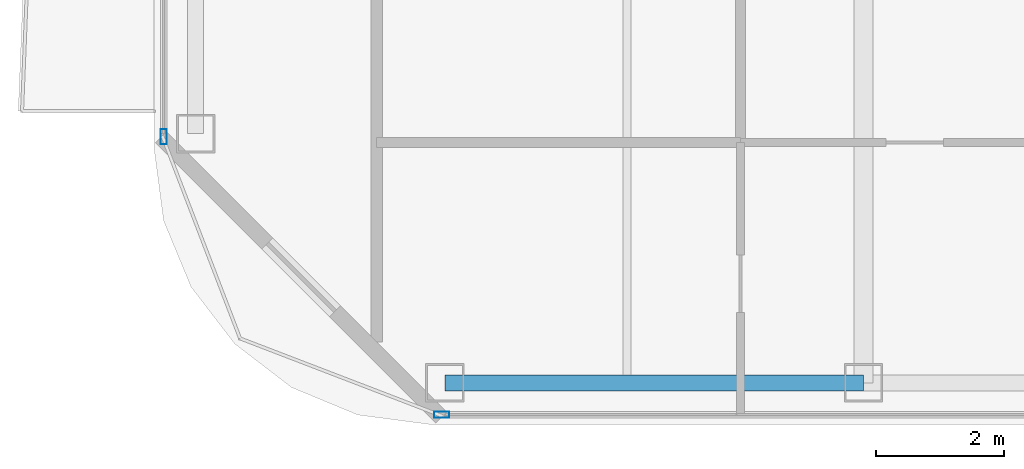
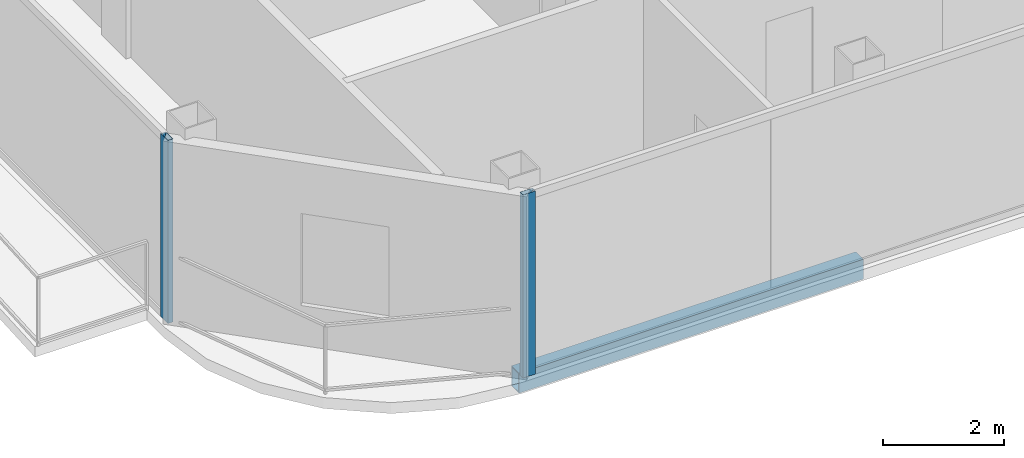
# One storey, part 2 of 27: 2 members, 1 beam, 2 elements without a shape of their own.
"""IFC4 building model written with IfcOpenShell, lengths in metres."""

from ifc_helpers import new_model, si_unit, direction, frame, origin, origin_2d, place, context, subcontext, project, spatial, hollow_rectangle, extrude, material, layer, layer_set, material_profile, profile_set, type_object, element, aggregate, save


model = new_model("IFC4")

# Units and contexts
model_context = context("Model", 3, precision=1e-05, world=origin(), true_north=direction((0.0, 1.0)))
body_context = subcontext(model_context, "Body", "Model", "MODEL_VIEW")
ifc_project = project(units=[si_unit("LENGTHUNIT", "METRE"), si_unit("AREAUNIT", "SQUARE_METRE"), si_unit("VOLUMEUNIT", "CUBIC_METRE"), si_unit("PLANEANGLEUNIT", "RADIAN"), si_unit("MASSUNIT", "GRAM", prefix="KILO")], contexts=[model_context])

# Site, building, storey
site_placement = place(None, origin())
site = spatial("IfcSite", under=ifc_project, at=site_placement, CompositionType="ELEMENT")
building_placement = place(site_placement, origin())
building = spatial("IfcBuilding", under=site, at=building_placement, Name="Khorvyn Point Tower", CompositionType="ELEMENT")
storey_placement = place(building_placement, frame((0.0, 0.0, 243.0)))
storey = spatial("IfcBuildingStorey", under=building, at=storey_placement, Name="L59", CompositionType="ELEMENT", Elevation=243.0)

# Curtain wall, member
ifc_material_1 = material(Name="Anodised aluminium 6063-T6 and laminated Low-E glass", Category="aluminium")
ifc_layer = layer(ifc_material_1, 0.18994140625)
ifc_layer_set = layer_set([ifc_layer], Name="Stick-Built Acoustic Curtain Wall CW-SYS-03")
curtain_wall_type = type_object("IfcCurtainWallType", Name="Stick-Built Acoustic Curtain Wall CW-SYS-03", PredefinedType="NOTDEFINED", material=ifc_layer_set)
curtain_wall_1_placement = place(storey_placement, origin())
curtain_wall_1 = element("IfcCurtainWall", 1, at=curtain_wall_1_placement, inside=storey, type_object=curtain_wall_type, Name="Curtain Wall", PredefinedType="NOTDEFINED")
ifc_material_2 = material(Name="Anodised aluminium 6063-T6", Category="aluminium")
ifc_material_profile_1 = material_profile(ifc_material_2, hollow_rectangle(XDim=0.10009765625, YDim=0.239990234375, WallThickness=0.0048828125, at=origin_2d()))
ifc_profile_set_1 = profile_set([ifc_material_profile_1], Name="Anodised aluminium 6063-T6 ALU-MUL-100x240")
member_type = type_object("IfcMemberType", Name="Anodised Aluminium 6063-T6 Mullion ALU-MUL-100x240", PredefinedType="MULLION", material=ifc_profile_set_1)
member_1_placement = place(storey_placement, frame((-14.0, -28.64990234375, 0.0), z_axis=(0.0, 0.0, 1.0), x_axis=(0.0, -1.0, 0.0)))
member_1 = element("IfcMember", 2, at=member_1_placement, type_object=member_type, Name="Transom", PredefinedType="MULLION", context=body_context, shape_type="SweptSolid", body=[
    extrude(hollow_rectangle(XDim=0.10009765625, YDim=0.239990234375, WallThickness=0.0048828125, at=origin_2d()), origin(), (0.0, 0.0, 1.0), 3.679931640625),
])
aggregate(curtain_wall_1, [member_1])

curtain_wall_2_placement = place(storey_placement, origin())
curtain_wall_2 = element("IfcCurtainWall", 3, at=curtain_wall_2_placement, inside=storey, type_object=curtain_wall_type, Name="Curtain Wall", PredefinedType="NOTDEFINED")
member_2_placement = place(storey_placement, frame((-18.35009765625, -24.300048828125, 0.0), z_axis=(0.0, 0.0, 1.0), x_axis=(-1.0, 0.0, 0.0)))
member_2 = element("IfcMember", 4, at=member_2_placement, type_object=member_type, Name="Transom", PredefinedType="MULLION", context=body_context, shape_type="SweptSolid", body=[
    extrude(hollow_rectangle(XDim=0.10009765625, YDim=0.239990234375, WallThickness=0.0048828125, at=origin_2d()), origin(), (0.0, 0.0, 1.0), 3.679931640625),
])
aggregate(curtain_wall_2, [member_2])

# Beam
ifc_material_3 = material(Name="Steel S355", Category="steel")
ifc_material_profile_2 = material_profile(ifc_material_3, hollow_rectangle(XDim=0.25, YDim=0.39990234375, WallThickness=0.01611328125, at=origin_2d()))
ifc_profile_set_2 = profile_set([ifc_material_profile_2], Name="Steel S355 RHS400x250x16")
beam_type = type_object("IfcBeamType", Name="Steel S355 Spandrel RHS400x250x16", PredefinedType="SPANDREL", material=ifc_profile_set_2)
beam_placement = place(storey_placement, frame((-13.949951171875, -28.14990234375, -0.419921875), z_axis=(1.0, 0.0, 0.0), x_axis=(0.0, 1.0, 0.0)))
element("IfcBeam", 5, at=beam_placement, inside=storey, type_object=beam_type, Name="Beam", PredefinedType="SPANDREL", context=body_context, shape_type="SweptSolid", body=[
    extrude(hollow_rectangle(XDim=0.25, YDim=0.39990234375, WallThickness=0.01611328125, at=origin_2d()), origin(), (0.0, 0.0, 1.0), 6.550048828125),
])

save(model, "model.ifc")
